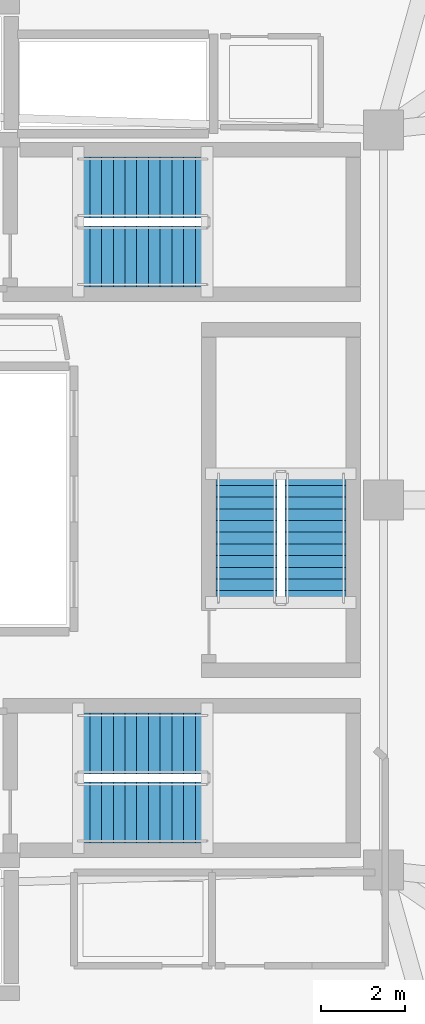
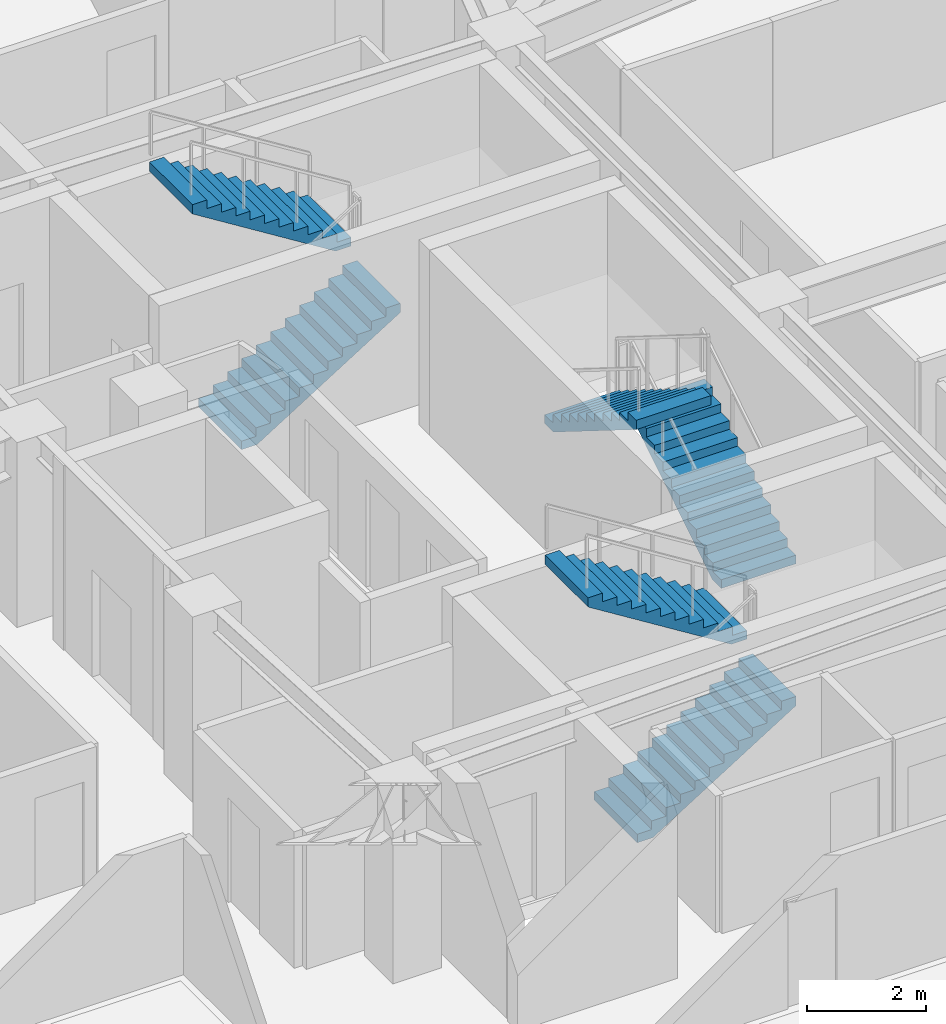
# One storey, part 9 of 12: 6 stair flights, 3 elements without a shape of their own.
"""IFC4 building model written with IfcOpenShell, lengths in metres."""

import ifcopenshell
import ifcopenshell.guid

model = None  # the IFC model being written
_history = None  # IfcOwnerHistory: only IFC2X3 demands one
_inside = {}  # id of a spatial element -> (the spatial element, [elements in it])
_under = {}  # id of a project, library or spatial element -> (it, [spatial elements below it])
_declared = {}  # id of a project -> (the project, [libraries it declares])
_typed = {}  # id of a type object -> (the type object, [elements of that type])
_made_of = {}  # id of a material, layer set ... -> (it, [elements and type objects made of it])


def new_model(schema):
    """Start an empty IFC model of exactly this schema.

    Asked for "IFC4X3", IfcOpenShell would pick the latest addendum, in which some entities
    have other attributes; the version numbers below select the first issue.
    IFC2X3 requires an IfcOwnerHistory on every rooted entity: one is made here for all.
    """
    global model, _history
    if schema == "IFC4X3":
        model = ifcopenshell.file(schema_version=(4, 3, 0, 0))
    else:
        model = ifcopenshell.file(schema=schema)
    _inside.clear()
    _under.clear()
    _declared.clear()
    _typed.clear()
    _made_of.clear()
    _history = None
    if model.schema == "IFC2X3":
        org = make("IfcOrganization", Name="unknown")
        user = make(
            "IfcPersonAndOrganization",
            ThePerson=make("IfcPerson", FamilyName="unknown"),
            TheOrganization=org,
        )
        app = make(
            "IfcApplication",
            ApplicationDeveloper=org,
            Version="unknown",
            ApplicationFullName="unknown",
            ApplicationIdentifier="unknown",
        )
        _history = make(
            "IfcOwnerHistory",
            OwningUser=user,
            OwningApplication=app,
            ChangeAction="ADDED",
            CreationDate=0,
        )
    return model


def make(cls, **values):
    """One entity of the class cls with the attributes given. An attribute that is None is left unset."""
    return model.create_entity(
        cls, **{name: value for name, value in values.items() if value is not None}
    )


def rooted(cls, **values):
    """An entity with a GlobalId (a new one), such as an element, a storey or a relation."""
    return make(cls, GlobalId=ifcopenshell.guid.new(), OwnerHistory=_history, **values)


def si_unit(unit_type, name, prefix=None):
    """IfcSIUnit, for example si_unit("LENGTHUNIT", "METRE", prefix="MILLI")."""
    return make("IfcSIUnit", UnitType=unit_type, Prefix=prefix, Name=name)


def assignment(units):
    """IfcUnitAssignment: the units of a project."""
    return None if units is None else make("IfcUnitAssignment", Units=units)


def point(xyz):
    """IfcCartesianPoint."""
    return None if xyz is None else make("IfcCartesianPoint", Coordinates=xyz)


def direction(xyz):
    """IfcDirection."""
    return None if xyz is None else make("IfcDirection", DirectionRatios=xyz)


def frame(location, z_axis=None, x_axis=None):
    """IfcAxis2Placement3D, a coordinate frame: its origin and axes. An axis left out is left unset."""
    return make(
        "IfcAxis2Placement3D",
        Location=point(location),
        Axis=direction(z_axis),
        RefDirection=direction(x_axis),
    )


def origin():
    """The frame at (0, 0, 0) with its axes left unset."""
    return frame((0.0, 0.0, 0.0))


def place(relative_to, where):
    """IfcLocalPlacement: puts the frame where relative to a parent placement (None: the world)."""
    return make(
        "IfcLocalPlacement", PlacementRelTo=relative_to, RelativePlacement=where
    )


def context(
    kind, dimensions, precision=None, world=None, true_north=None, identifier=None
):
    """IfcGeometricRepresentationContext, for example the 3D "Model" context."""
    return make(
        "IfcGeometricRepresentationContext",
        ContextIdentifier=identifier,
        ContextType=kind,
        CoordinateSpaceDimension=dimensions,
        Precision=precision,
        WorldCoordinateSystem=world,
        TrueNorth=true_north,
    )


def subcontext(parent, identifier, kind, view, scale=None):
    """IfcGeometricRepresentationSubContext, for example "Body" below "Model"."""
    return make(
        "IfcGeometricRepresentationSubContext",
        ContextIdentifier=identifier,
        ContextType=kind,
        ParentContext=parent,
        TargetScale=scale,
        TargetView=view,
    )


def project(units=None, contexts=None):
    """IfcProject with its units and contexts."""
    return rooted(
        "IfcProject",
        Name="project",
        RepresentationContexts=contexts,
        UnitsInContext=assignment(units),
    )


def spatial(cls, under=None, at=None, **own):
    """A site, building, storey or space (cls), placed at a placement, below another one or the project."""
    s = rooted(cls, ObjectPlacement=at, **own)
    if under is not None:
        _under.setdefault(under.id(), (under, []))[1].append(s)
    return s


def polyline(points):
    """IfcPolyline through the points."""
    return make("IfcPolyline", Points=[point(p) for p in points])


def outline(outer, holes=None, kind="AREA"):
    """IfcArbitraryClosedProfileDef: a profile drawn as a closed curve; with holes, ...WithVoids."""
    if holes is None:
        return make("IfcArbitraryClosedProfileDef", ProfileType=kind, OuterCurve=outer)
    return make(
        "IfcArbitraryProfileDefWithVoids",
        ProfileType=kind,
        OuterCurve=outer,
        InnerCurves=holes,
    )


def extrude(swept, where, along, depth):
    """IfcExtrudedAreaSolid: the profile swept, set in the frame where, extruded along a direction by depth."""
    return make(
        "IfcExtrudedAreaSolid",
        SweptArea=swept,
        Position=where,
        ExtrudedDirection=direction(along),
        Depth=depth,
    )


def shape(context_of_items, identifier, shape_type, items):
    """IfcShapeRepresentation: the items that make up one representation, for example the "Body"."""
    return make(
        "IfcShapeRepresentation",
        ContextOfItems=context_of_items,
        RepresentationIdentifier=identifier,
        RepresentationType=shape_type,
        Items=items,
    )


def material(Name=None, Category=None):
    """IfcMaterial."""
    return make("IfcMaterial", Name=Name, Category=Category)


def made_of(thing, what):
    """Note that an element or type object is made of a material, layer set ...; save() writes the relation."""
    if what is not None:
        _made_of.setdefault(what.id(), (what, []))[1].append(thing)
    return thing


def type_object(cls, material=None, **own):
    """A type object (cls), such as IfcWallType, which elements share."""
    return made_of(rooted(cls, **own), material)


def element(
    cls,
    number,
    at=None,
    inside=None,
    cuts=None,
    type_object=None,
    material=None,
    context=None,
    identifier="Body",
    shape_type=None,
    held_by="IfcProductDefinitionShape",
    body=None,
    shapes=None,
    **own,
):
    """One element of the class cls, such as IfcWall. Its Tag is "e" and its number.

    at: its placement. inside: the storey or other place that contains it. cuts: it is an
    opening in that element (IfcRelVoidsElement). A single representation is given by context,
    identifier, shape_type and body (its items); several are given by shapes. held_by: the class
    of the entity that holds the representations. save() writes the other relations.
    """
    e = rooted(cls, Tag="e%d" % number, ObjectPlacement=at, **own)
    if body is not None:
        shapes = [shape(context, identifier, shape_type, body)]
    if shapes is not None:
        e.Representation = make(held_by, Representations=shapes)
    if inside is not None:
        _inside.setdefault(inside.id(), (inside, []))[1].append(e)
    if cuts is not None:
        rooted(
            "IfcRelVoidsElement", RelatingBuildingElement=cuts, RelatedOpeningElement=e
        )
    if type_object is not None:
        _typed.setdefault(type_object.id(), (type_object, []))[1].append(e)
    return made_of(e, material)


def aggregate(whole, parts):
    """IfcRelAggregates: a whole, such as a stair, and the parts it consists of."""
    return rooted("IfcRelAggregates", RelatingObject=whole, RelatedObjects=parts)


def save(model, path):
    """Write the relations noted so far, then the file.

    IfcRelAggregates (storeys below a building ...), IfcRelContainedInSpatialStructure (elements
    in a storey), IfcRelDefinesByType, IfcRelAssociatesMaterial and IfcRelDeclares: one each for
    every whole, place, type object, material and project.
    """
    for whole, parts in _under.values():
        aggregate(whole, parts)
    for where, things in _inside.values():
        rooted(
            "IfcRelContainedInSpatialStructure",
            RelatedElements=things,
            RelatingStructure=where,
        )
    for kind, things in _typed.values():
        rooted("IfcRelDefinesByType", RelatedObjects=things, RelatingType=kind)
    for what, things in _made_of.values():
        rooted("IfcRelAssociatesMaterial", RelatedObjects=things, RelatingMaterial=what)
    for by, libraries in _declared.values():
        rooted("IfcRelDeclares", RelatingContext=by, RelatedDefinitions=libraries)
    model.write(path)


model = new_model("IFC4")

# Units and contexts
model_context = context("Model", 3, precision=1e-05, world=origin(), true_north=direction((0.0, 1.0)))
body_context = subcontext(model_context, "Body", "Model", "MODEL_VIEW")
ifc_project = project(units=[si_unit("LENGTHUNIT", "METRE"), si_unit("AREAUNIT", "SQUARE_METRE"), si_unit("VOLUMEUNIT", "CUBIC_METRE"), si_unit("PLANEANGLEUNIT", "RADIAN"), si_unit("MASSUNIT", "GRAM", prefix="KILO")], contexts=[model_context])

# Site, building, storey
site_placement = place(None, origin())
site = spatial("IfcSite", under=ifc_project, at=site_placement, CompositionType="ELEMENT")
building_placement = place(site_placement, origin())
building = spatial("IfcBuilding", under=site, at=building_placement, Name="Korentha Bioscience Tower", CompositionType="ELEMENT")
storey_placement = place(building_placement, frame((0.0, 0.0, 282.60009765625)))
storey = spatial("IfcBuildingStorey", under=building, at=storey_placement, Name="L65", CompositionType="ELEMENT", Elevation=282.60009765625)

# Stair, stair flights
ifc_material = material(Name="Precast Concrete C50", Category="concrete")
stair_type = type_object("IfcStairType", Name="Core Exit Dog-Leg Stair 1450", PredefinedType="HALF_TURN_STAIR", material=ifc_material)
stair_1_placement = place(storey_placement, origin())
stair_1 = element("IfcStair", 1, at=stair_1_placement, inside=storey, type_object=stair_type, Name="L65 Tower North Pressurized Exit Stair ST-1", PredefinedType="HALF_TURN_STAIR")
stair_flight_type = type_object("IfcStairFlightType", Name="Core Exit Dog-Leg Stair 1450 Flight", PredefinedType="STRAIGHT", material=ifc_material)
stair_flight_1_placement = place(storey_placement, frame((30.25, 32.824951171875, 0.0), z_axis=(0.0, 0.0, 1.0), x_axis=(1.0, 0.0, 0.0)))
stair_flight_1 = element("IfcStairFlight", 2, at=stair_flight_1_placement, type_object=stair_flight_type, Name="ST-1 flight 1", NumberOfRisers=12, NumberOfTreads=11, PredefinedType="STRAIGHT", RiserHeight=0.175, TreadLength=0.28, context=body_context, shape_type="SweptSolid", body=[
    extrude(outline(polyline([(0.0, 0.0), (0.0, 0.175048828125), (0.280029296875, 0.175048828125), (0.280029296875, 0.35009765625), (0.56005859375, 0.35009765625), (0.56005859375, 0.52490234375), (0.840087890625, 0.52490234375), (0.840087890625, 0.699951171875), (1.1201171875, 0.699951171875), (1.1201171875, 0.875), (1.39990234375, 0.875), (1.39990234375, 1.050048828125), (1.679931640625, 1.050048828125), (1.679931640625, 1.22509765625), (1.9599609375, 1.22509765625), (1.9599609375, 1.39990234375), (2.239990234375, 1.39990234375), (2.239990234375, 1.574951171875), (2.52001953125, 1.574951171875), (2.52001953125, 1.75), (2.800048828125, 1.75), (2.800048828125, 1.925048828125), (3.080078125, 1.925048828125), (3.080078125, 2.10009765625), (3.080078125, 1.736328125), (0.3017578125, 0.0), (0.0, 0.0)])), frame((0.0, 0.72509765625, 0.0), z_axis=(0.0, -1.0, 0.0), x_axis=(1.0, 0.0, 0.0)), (0.0, 0.0, 1.0), 1.449951171875),
])
stair_flight_2_placement = place(storey_placement, frame((33.330078125, 34.47509765625, 2.099853515625), z_axis=(0.0, 0.0, 1.0), x_axis=(-1.0, 0.0, 0.0)))
stair_flight_2 = element("IfcStairFlight", 3, at=stair_flight_2_placement, type_object=stair_flight_type, Name="ST-1 flight 2", NumberOfRisers=12, NumberOfTreads=11, PredefinedType="STRAIGHT", RiserHeight=0.175, TreadLength=0.28, context=body_context, shape_type="SweptSolid", body=[
    extrude(outline(polyline([(0.0, 0.0), (0.0, 0.175048828125), (0.280029296875, 0.175048828125), (0.280029296875, 0.35009765625), (0.56005859375, 0.35009765625), (0.56005859375, 0.52490234375), (0.840087890625, 0.52490234375), (0.840087890625, 0.699951171875), (1.1201171875, 0.699951171875), (1.1201171875, 0.875), (1.39990234375, 0.875), (1.39990234375, 1.050048828125), (1.679931640625, 1.050048828125), (1.679931640625, 1.22509765625), (1.9599609375, 1.22509765625), (1.9599609375, 1.39990234375), (2.239990234375, 1.39990234375), (2.239990234375, 1.574951171875), (2.52001953125, 1.574951171875), (2.52001953125, 1.75), (2.800048828125, 1.75), (2.800048828125, 1.925048828125), (3.080078125, 1.925048828125), (3.080078125, 2.10009765625), (3.080078125, 1.736328125), (0.3017578125, 0.0), (0.0, 0.0)])), frame((0.0, 0.72509765625, 0.0), z_axis=(0.0, -1.0, 0.0), x_axis=(1.0, 0.0, 0.0)), (0.0, 0.0, 1.0), 1.449951171875),
])
aggregate(stair_1, [stair_flight_1, stair_flight_2])

stair_2_placement = place(storey_placement, origin())
stair_2 = element("IfcStair", 4, at=stair_2_placement, inside=storey, type_object=stair_type, Name="L65 Tower South Pressurized Exit Stair ST-2", PredefinedType="HALF_TURN_STAIR")
stair_flight_3_placement = place(storey_placement, frame((30.25, 19.52490234375, 0.0), z_axis=(0.0, 0.0, 1.0), x_axis=(1.0, 0.0, 0.0)))
stair_flight_3 = element("IfcStairFlight", 5, at=stair_flight_3_placement, type_object=stair_flight_type, Name="ST-2 flight 1", NumberOfRisers=12, NumberOfTreads=11, PredefinedType="STRAIGHT", RiserHeight=0.175, TreadLength=0.28, context=body_context, shape_type="SweptSolid", body=[
    extrude(outline(polyline([(0.0, 0.0), (0.0, 0.175048828125), (0.280029296875, 0.175048828125), (0.280029296875, 0.35009765625), (0.56005859375, 0.35009765625), (0.56005859375, 0.52490234375), (0.840087890625, 0.52490234375), (0.840087890625, 0.699951171875), (1.1201171875, 0.699951171875), (1.1201171875, 0.875), (1.39990234375, 0.875), (1.39990234375, 1.050048828125), (1.679931640625, 1.050048828125), (1.679931640625, 1.22509765625), (1.9599609375, 1.22509765625), (1.9599609375, 1.39990234375), (2.239990234375, 1.39990234375), (2.239990234375, 1.574951171875), (2.52001953125, 1.574951171875), (2.52001953125, 1.75), (2.800048828125, 1.75), (2.800048828125, 1.925048828125), (3.080078125, 1.925048828125), (3.080078125, 2.10009765625), (3.080078125, 1.736328125), (0.3017578125, 0.0), (0.0, 0.0)])), frame((0.0, 0.72509765625, 0.0), z_axis=(0.0, -1.0, 0.0), x_axis=(1.0, 0.0, 0.0)), (0.0, 0.0, 1.0), 1.449951171875),
])
stair_flight_4_placement = place(storey_placement, frame((33.330078125, 21.175048828125, 2.099853515625), z_axis=(0.0, 0.0, 1.0), x_axis=(-1.0, 0.0, 0.0)))
stair_flight_4 = element("IfcStairFlight", 6, at=stair_flight_4_placement, type_object=stair_flight_type, Name="ST-2 flight 2", NumberOfRisers=12, NumberOfTreads=11, PredefinedType="STRAIGHT", RiserHeight=0.175, TreadLength=0.28, context=body_context, shape_type="SweptSolid", body=[
    extrude(outline(polyline([(0.0, 0.0), (0.0, 0.175048828125), (0.280029296875, 0.175048828125), (0.280029296875, 0.35009765625), (0.56005859375, 0.35009765625), (0.56005859375, 0.52490234375), (0.840087890625, 0.52490234375), (0.840087890625, 0.699951171875), (1.1201171875, 0.699951171875), (1.1201171875, 0.875), (1.39990234375, 0.875), (1.39990234375, 1.050048828125), (1.679931640625, 1.050048828125), (1.679931640625, 1.22509765625), (1.9599609375, 1.22509765625), (1.9599609375, 1.39990234375), (2.239990234375, 1.39990234375), (2.239990234375, 1.574951171875), (2.52001953125, 1.574951171875), (2.52001953125, 1.75), (2.800048828125, 1.75), (2.800048828125, 1.925048828125), (3.080078125, 1.925048828125), (3.080078125, 2.10009765625), (3.080078125, 1.736328125), (0.3017578125, 0.0), (0.0, 0.0)])), frame((0.0, 0.72509765625, 0.0), z_axis=(0.0, -1.0, 0.0), x_axis=(1.0, 0.0, 0.0)), (0.0, 0.0, 1.0), 1.449951171875),
])
aggregate(stair_2, [stair_flight_3, stair_flight_4])

stair_3_placement = place(storey_placement, origin())
stair_3 = element("IfcStair", 7, at=stair_3_placement, inside=storey, type_object=stair_type, Name="L65 Tower Central Pressurized Exit Stair ST-3", PredefinedType="HALF_TURN_STAIR")
stair_flight_5_placement = place(storey_placement, frame((35.925048828125, 24.550048828125, 0.0), z_axis=(0.0, 0.0, 1.0), x_axis=(0.0, 1.0, 0.0)))
stair_flight_5 = element("IfcStairFlight", 8, at=stair_flight_5_placement, type_object=stair_flight_type, Name="ST-3 flight 1", NumberOfRisers=12, NumberOfTreads=11, PredefinedType="STRAIGHT", RiserHeight=0.175, TreadLength=0.28, context=body_context, shape_type="SweptSolid", body=[
    extrude(outline(polyline([(0.0, 0.0), (0.0, 0.175048828125), (0.280029296875, 0.175048828125), (0.280029296875, 0.35009765625), (0.56005859375, 0.35009765625), (0.56005859375, 0.52490234375), (0.840087890625, 0.52490234375), (0.840087890625, 0.699951171875), (1.1201171875, 0.699951171875), (1.1201171875, 0.875), (1.39990234375, 0.875), (1.39990234375, 1.050048828125), (1.679931640625, 1.050048828125), (1.679931640625, 1.22509765625), (1.9599609375, 1.22509765625), (1.9599609375, 1.39990234375), (2.239990234375, 1.39990234375), (2.239990234375, 1.574951171875), (2.52001953125, 1.574951171875), (2.52001953125, 1.75), (2.800048828125, 1.75), (2.800048828125, 1.925048828125), (3.080078125, 1.925048828125), (3.080078125, 2.10009765625), (3.080078125, 1.736328125), (0.3017578125, 0.0), (0.0, 0.0)])), frame((0.0, 0.72509765625, 0.0), z_axis=(0.0, -1.0, 0.0), x_axis=(1.0, 0.0, 0.0)), (0.0, 0.0, 1.0), 1.449951171875),
])
stair_flight_6_placement = place(storey_placement, frame((34.27490234375, 27.6298828125, 2.099853515625), z_axis=(0.0, 0.0, 1.0), x_axis=(0.0, -1.0, 0.0)))
stair_flight_6 = element("IfcStairFlight", 9, at=stair_flight_6_placement, type_object=stair_flight_type, Name="ST-3 flight 2", NumberOfRisers=12, NumberOfTreads=11, PredefinedType="STRAIGHT", RiserHeight=0.175, TreadLength=0.28, context=body_context, shape_type="SweptSolid", body=[
    extrude(outline(polyline([(0.0, 0.0), (0.0, 0.175048828125), (0.280029296875, 0.175048828125), (0.280029296875, 0.35009765625), (0.56005859375, 0.35009765625), (0.56005859375, 0.52490234375), (0.840087890625, 0.52490234375), (0.840087890625, 0.699951171875), (1.1201171875, 0.699951171875), (1.1201171875, 0.875), (1.39990234375, 0.875), (1.39990234375, 1.050048828125), (1.679931640625, 1.050048828125), (1.679931640625, 1.22509765625), (1.9599609375, 1.22509765625), (1.9599609375, 1.39990234375), (2.239990234375, 1.39990234375), (2.239990234375, 1.574951171875), (2.52001953125, 1.574951171875), (2.52001953125, 1.75), (2.800048828125, 1.75), (2.800048828125, 1.925048828125), (3.080078125, 1.925048828125), (3.080078125, 2.10009765625), (3.080078125, 1.736328125), (0.3017578125, 0.0), (0.0, 0.0)])), frame((0.0, 0.72509765625, 0.0), z_axis=(0.0, -1.0, 0.0), x_axis=(1.0, 0.0, 0.0)), (0.0, 0.0, 1.0), 1.449951171875),
])
aggregate(stair_3, [stair_flight_5, stair_flight_6])

save(model, "model.ifc")
